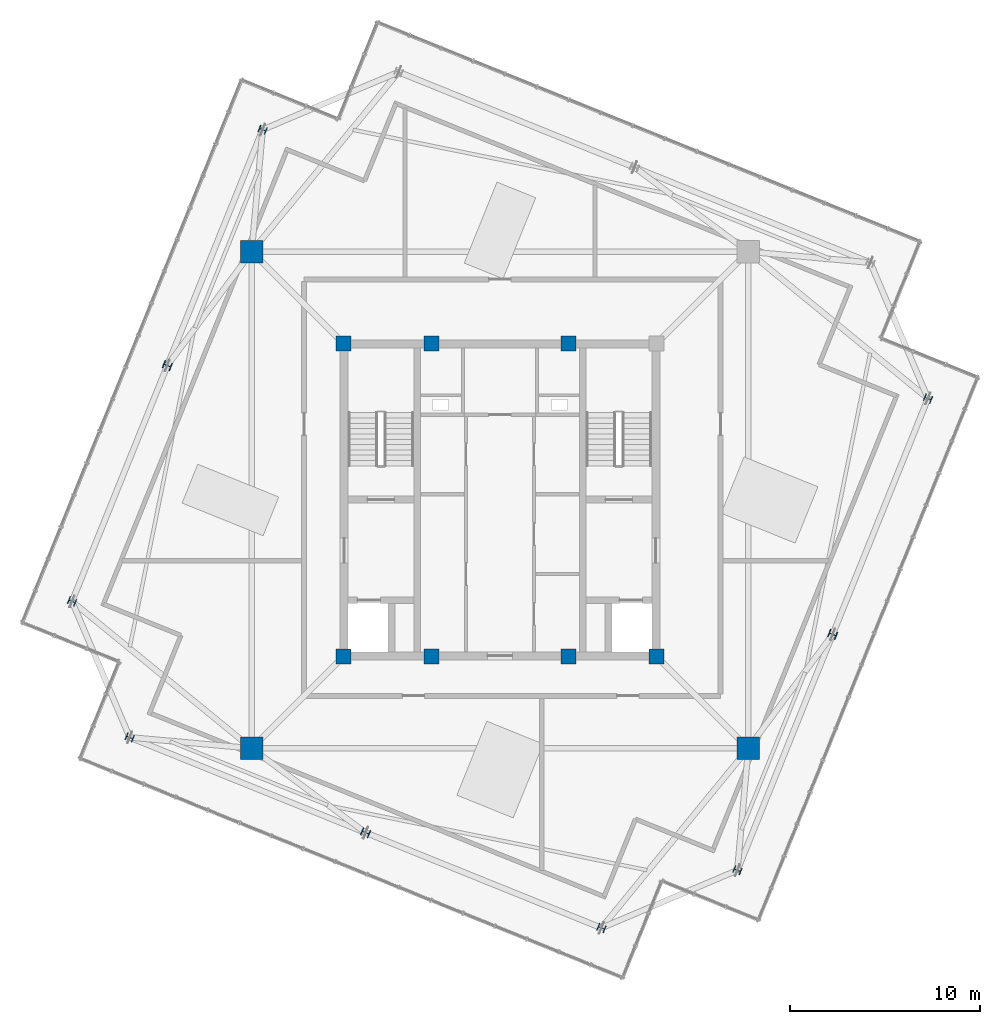
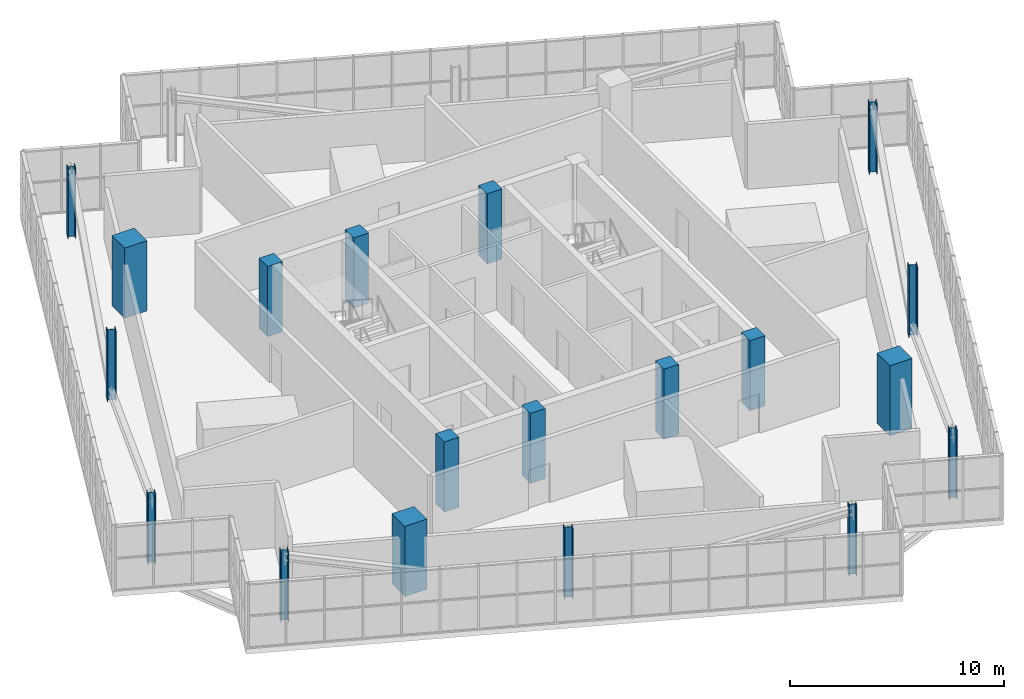
# One storey, part 1 of 26: 19 columns.
"""IFC4 building model written with IfcOpenShell, lengths in metres."""

from ifc_helpers import new_model, si_unit, direction, frame, origin, origin_2d, place, context, subcontext, project, spatial, rectangle, i_section, extrude, source, transform, mapped, material, material_profile, profile_set, type_object, element, save


model = new_model("IFC4")

# Units and contexts
model_context = context("Model", 3, precision=1e-05, world=origin(), true_north=direction((0.0, 1.0)))
body_context = subcontext(model_context, "Body", "Model", "MODEL_VIEW")
ifc_project = project(units=[si_unit("LENGTHUNIT", "METRE"), si_unit("AREAUNIT", "SQUARE_METRE"), si_unit("VOLUMEUNIT", "CUBIC_METRE"), si_unit("PLANEANGLEUNIT", "RADIAN"), si_unit("MASSUNIT", "GRAM", prefix="KILO"), si_unit("THERMODYNAMICTEMPERATUREUNIT", "KELVIN")], contexts=[model_context])

# Site, building, storey
site_placement = place(None, origin())
site = spatial("IfcSite", under=ifc_project, at=site_placement, CompositionType="ELEMENT")
building_placement = place(site_placement, origin())
building = spatial("IfcBuilding", under=site, at=building_placement, Name="Kosmvard Interchange Tower", CompositionType="ELEMENT")
storey_placement = place(building_placement, frame((0.0, 0.0, 333.60009765625)))
storey = spatial("IfcBuildingStorey", under=building, at=storey_placement, Name="L82", CompositionType="ELEMENT", Elevation=333.60009765625)

# Columns
ifc_material_1 = material(Name="Concrete C50/60", Category="concrete")
ifc_material_profile_1 = material_profile(ifc_material_1, rectangle(XDim=0.800048828125, YDim=0.800048828125, at=origin_2d()), Name="CP 800x800")
ifc_profile_set_1 = profile_set([ifc_material_profile_1], Name="Concrete C50/60")
column_type_1 = type_object("IfcColumnType", Name="Core Boundary Pilaster 800x800 C50/60", PredefinedType="PILASTER", material=ifc_profile_set_1)
shared_shape_1 = source(origin(), body_context, "Body", "SweptSolid", [
    extrude(rectangle(XDim=0.800048828125, YDim=0.800048828125, at=origin_2d()), origin(), (0.0, 0.0, 1.0), 4.0),
])
for number, where, z_axis, x_axis, name in (
    (1, (-8.25, -8.25, 0.0), (0.0, 0.0, 1.0), (1.0, 0.0, 0.0), "L82 Core Pilaster CP1"),
    (2, (8.25, -8.25, 0.0), (0.0, 0.0, 1.0), (1.0, 0.0, 0.0), "L82 Core Pilaster CP2"),
    (3, (-8.25, 8.25, 0.0), (0.0, 0.0, 1.0), (1.0, 0.0, 0.0), "L82 Core Pilaster CP4"),
    (4, (-3.60009765625, -8.25, 0.0), (0.0, 0.0, 1.0), (1.0, 0.0, 0.0), "L82 Core Pilaster CP5"),
    (5, (3.60009765625, -8.25, 0.0), (0.0, 0.0, 1.0), (1.0, 0.0, 0.0), "L82 Core Pilaster CP6"),
    (6, (-3.60009765625, 8.25, 0.0), (0.0, 0.0, 1.0), (1.0, 0.0, 0.0), "L82 Core Pilaster CP7"),
    (7, (3.60009765625, 8.25, 0.0), (0.0, 0.0, 1.0), (1.0, 0.0, 0.0), "L82 Core Pilaster CP8"),
):
    element("IfcColumn", number, at=place(storey_placement, frame(where, z_axis=z_axis, x_axis=x_axis)), inside=storey, type_object=column_type_1, Name=name, PredefinedType="PILASTER", context=body_context, shape_type="MappedRepresentation", body=[
        mapped(shared_shape_1, transform((0.0, 0.0, 0.0), scale=1.0)),
    ])
ifc_material_profile_2 = material_profile(ifc_material_1, rectangle(XDim=1.199951171875, YDim=1.199951171875, at=origin_2d()), Name="MC 1200x1200")
ifc_profile_set_2 = profile_set([ifc_material_profile_2], Name="Concrete C50/60")
column_type_2 = type_object("IfcColumnType", Name="Composite Mega-Column 1200x1200 C50/60", PredefinedType="COLUMN", material=ifc_profile_set_2)
shared_shape_2 = source(origin(), body_context, "Body", "SweptSolid", [
    extrude(rectangle(XDim=1.199951171875, YDim=1.199951171875, at=origin_2d()), origin(), (0.0, 0.0, 1.0), 4.0),
])
for number, where, z_axis, x_axis, name in (
    (8, (-13.0810546875, -13.0810546875, 0.0), (0.0, 0.0, 1.0), (1.0, 0.0, 0.0), "L82 Corner Mega-Column MC1"),
    (9, (13.0810546875, -13.0810546875, 0.0), (0.0, 0.0, 1.0), (1.0, 0.0, 0.0), "L82 Corner Mega-Column MC2"),
    (10, (-13.0810546875, 13.0810546875, 0.0), (0.0, 0.0, 1.0), (1.0, 0.0, 0.0), "L82 Corner Mega-Column MC4"),
):
    element("IfcColumn", number, at=place(storey_placement, frame(where, z_axis=z_axis, x_axis=x_axis)), inside=storey, type_object=column_type_2, Name=name, PredefinedType="COLUMN", context=body_context, shape_type="MappedRepresentation", body=[
        mapped(shared_shape_2, transform((0.0, 0.0, 0.0), scale=1.0)),
    ])
ifc_material_2 = material(Name="Steel S355", Category="steel")
ifc_material_profile_3 = material_profile(ifc_material_2, i_section(OverallWidth=0.3759765625, OverallDepth=0.386962890625, WebThickness=0.01953125, FlangeThickness=0.031982421875, FilletRadius=0.014892578125, at=origin_2d()), Name="HD 360x329")
ifc_profile_set_3 = profile_set([ifc_material_profile_3], Name="Steel S355")
column_type_3 = type_object("IfcColumnType", Name="Crown Lantern Corner Post HD 360x329 S355", PredefinedType="COLUMN", material=ifc_profile_set_3)
shared_shape_3 = source(origin(), body_context, "Body", "SweptSolid", [
    extrude(i_section(OverallWidth=0.3759765625, OverallDepth=0.386962890625, WebThickness=0.01953125, FlangeThickness=0.031982421875, FilletRadius=0.014892578125, at=origin_2d()), origin(), (0.0, 0.0, 1.0), 4.0),
])
for number, where, z_axis, x_axis, name in (
    (11, (12.504150390625, -19.50439453125, 0.0), (0.0, 0.0, 1.0), (0.374606593416, 0.927183854567, 0.0), "L82 Crown Frame Leg LL-S1"),
    (12, (22.54345703125, 5.34423828125, 0.0), (0.0, 0.0, 1.0), (0.374606593416, 0.927183854567, 0.0), "L82 Crown Frame Leg LL-S3"),
    (13, (-12.504150390625, 19.50439453125, 0.0), (0.0, 0.0, 1.0), (0.374606593416, 0.927183854567, 0.0), "L82 Crown Frame Leg LL-N1"),
    (14, (-22.54345703125, -5.34423828125, 0.0), (0.0, 0.0, 1.0), (0.374606593416, 0.927183854567, 0.0), "L82 Crown Frame Leg LL-N3"),
    (15, (-19.50439453125, -12.504150390625, 0.0), (0.0, 0.0, 1.0), (0.374606593416, 0.927183854567, 0.0), "L82 Crown Frame Leg LL-W1"),
    (16, (5.34423828125, -22.54345703125, 0.0), (0.0, 0.0, 1.0), (0.374606593416, 0.927183854567, 0.0), "L82 Crown Frame Leg LL-W3"),
):
    element("IfcColumn", number, at=place(storey_placement, frame(where, z_axis=z_axis, x_axis=x_axis)), inside=storey, type_object=column_type_3, Name=name, PredefinedType="COLUMN", context=body_context, shape_type="MappedRepresentation", body=[
        mapped(shared_shape_3, transform((0.0, 0.0, 0.0), scale=1.0)),
    ])
ifc_material_profile_4 = material_profile(ifc_material_2, i_section(OverallWidth=0.408935546875, OverallDepth=0.425048828125, WebThickness=0.02392578125, FlangeThickness=0.0390625, FilletRadius=0.014892578125, at=origin_2d()), Name="HD 400x421")
ifc_profile_set_4 = profile_set([ifc_material_profile_4], Name="Steel S355")
column_type_4 = type_object("IfcColumnType", Name="Crown Lantern Frame Leg HD 400x421 S355", PredefinedType="COLUMN", material=ifc_profile_set_4)
shared_shape_4 = source(origin(), body_context, "Body", "SweptSolid", [
    extrude(i_section(OverallWidth=0.408935546875, OverallDepth=0.425048828125, WebThickness=0.02392578125, FlangeThickness=0.0390625, FilletRadius=0.014892578125, at=origin_2d()), origin(), (0.0, 0.0, 1.0), 4.0),
])
for number, where, z_axis, x_axis, name in (
    (17, (17.523681640625, -7.080078125, 0.0), (0.0, 0.0, 1.0), (0.374606593416, 0.927183854567, 0.0), "L82 Crown Frame Leg LL-S2"),
    (18, (-17.523681640625, 7.080078125, 0.0), (0.0, 0.0, 1.0), (0.374606593416, 0.927183854567, 0.0), "L82 Crown Frame Leg LL-N2"),
    (19, (-7.080078125, -17.523681640625, 0.0), (0.0, 0.0, 1.0), (0.374606593416, 0.927183854567, 0.0), "L82 Crown Frame Leg LL-W2"),
):
    element("IfcColumn", number, at=place(storey_placement, frame(where, z_axis=z_axis, x_axis=x_axis)), inside=storey, type_object=column_type_4, Name=name, PredefinedType="COLUMN", context=body_context, shape_type="MappedRepresentation", body=[
        mapped(shared_shape_4, transform((0.0, 0.0, 0.0), scale=1.0)),
    ])

save(model, "model.ifc")
